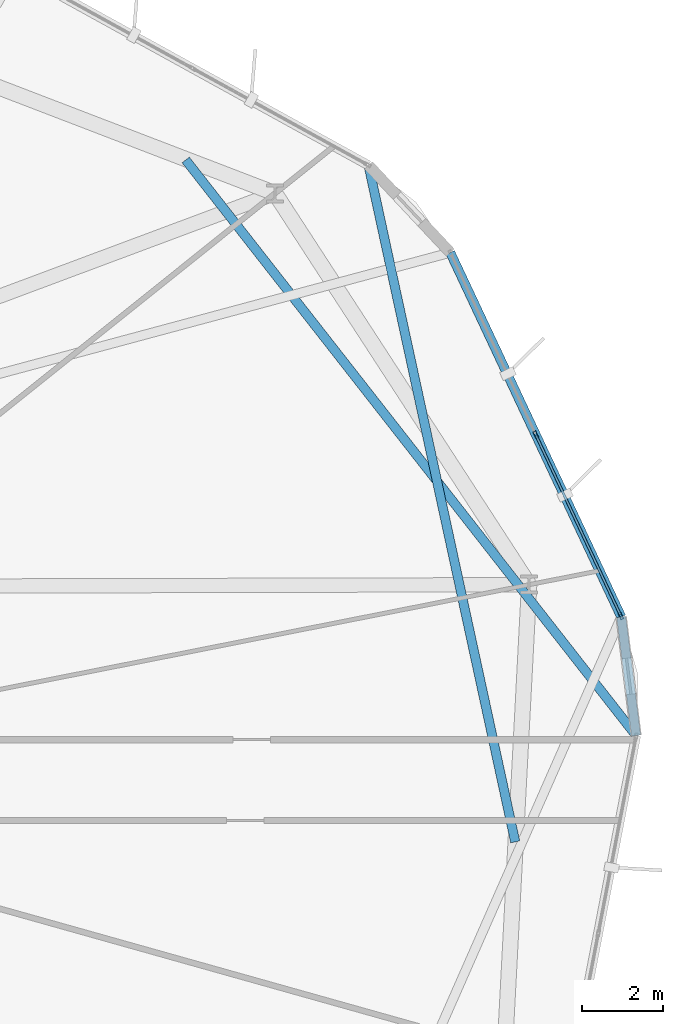
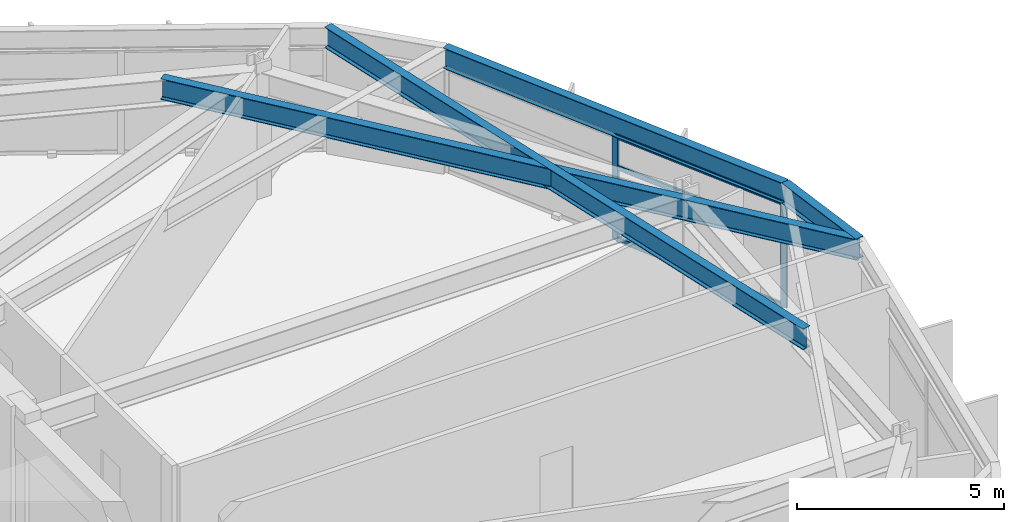
# One storey, part 10 of 22: 5 members, 4 beams, 1 element without a shape of its own.
"""IFC4 building model written with IfcOpenShell, lengths in metres."""

from ifc_helpers import new_model, si_unit, direction, frame, origin, origin_2d, place, context, subcontext, project, spatial, hollow_rectangle, i_section, extrude, material, layer, layer_set, material_profile, profile_set, type_object, element, aggregate, save


model = new_model("IFC4")

# Units and contexts
model_context = context("Model", 3, precision=1e-05, world=origin(), true_north=direction((0.0, 1.0)))
body_context = subcontext(model_context, "Body", "Model", "MODEL_VIEW")
ifc_project = project(units=[si_unit("LENGTHUNIT", "METRE"), si_unit("AREAUNIT", "SQUARE_METRE"), si_unit("VOLUMEUNIT", "CUBIC_METRE"), si_unit("PLANEANGLEUNIT", "RADIAN"), si_unit("MASSUNIT", "GRAM", prefix="KILO")], contexts=[model_context])

# Site, building, storey
site_placement = place(None, origin())
site = spatial("IfcSite", under=ifc_project, at=site_placement, CompositionType="ELEMENT")
building_placement = place(site_placement, origin())
building = spatial("IfcBuilding", under=site, at=building_placement, Name="Soratama Intermodal Tower", CompositionType="ELEMENT")
storey_placement = place(building_placement, frame((0.0, 0.0, 54.60009765625)))
storey = spatial("IfcBuildingStorey", under=building, at=storey_placement, Name="L12", CompositionType="ELEMENT", Elevation=54.60009765625)

# Beams
ifc_material_1 = material(Name="Structural steel ASTM A992 Grade 50", Category="steel")
ifc_material_profile_1 = material_profile(ifc_material_1, i_section(OverallWidth=0.22900390625, OverallDepth=0.612060546875, WebThickness=0.011962890625, FlangeThickness=0.01953125, FilletRadius=0.012939453125, at=origin_2d()), Name="W24X84")
ifc_profile_set_1 = profile_set([ifc_material_profile_1], Name="Structural steel ASTM A992 Grade 50")
beam_type_1 = type_object("IfcBeamType", Name="BM-SPN-W24X84", PredefinedType="SPANDREL", material=ifc_profile_set_1)
beam_1_placement = place(storey_placement, frame((65.366943359375, 29.0458984375, 3.393798828125), z_axis=(-0.424862542276, 0.905257874957, 0.0), x_axis=(-0.905257874957, -0.424862542276, 0.0)))
element("IfcBeam", 1, at=beam_1_placement, inside=storey, type_object=beam_type_1, Name="BS-L12-F01", PredefinedType="SPANDREL", context=body_context, shape_type="SweptSolid", body=[
    extrude(i_section(OverallWidth=0.22900390625, OverallDepth=0.612060546875, WebThickness=0.011962890625, FlangeThickness=0.01953125, FilletRadius=0.012939453125, at=origin_2d()), origin(), (0.0, 0.0, 1.0), 9.979736328125),
])
beam_2_placement = place(storey_placement, frame((65.735107421875, 26.10205078125, 3.393798828125), z_axis=(-0.124095503426, 0.992270278719, 0.0), x_axis=(-0.992270278719, -0.124095503426, 0.0)))
element("IfcBeam", 2, at=beam_2_placement, inside=storey, type_object=beam_type_1, Name="BS-L12-CRN10", PredefinedType="SPANDREL", context=body_context, shape_type="SweptSolid", body=[
    extrude(i_section(OverallWidth=0.22900390625, OverallDepth=0.612060546875, WebThickness=0.011962890625, FlangeThickness=0.01953125, FilletRadius=0.012939453125, at=origin_2d()), origin(), (0.0, 0.0, 1.0), 2.966796875),
])
ifc_material_2 = material(Name="Structural steel ASTM A992 Grade 50", Category="steel")
ifc_material_profile_2 = material_profile(ifc_material_2, i_section(OverallWidth=0.22900390625, OverallDepth=0.612060546875, WebThickness=0.011962890625, FlangeThickness=0.01953125, FilletRadius=0.012939453125, at=origin_2d()), Name="W24X84")
ifc_profile_set_2 = profile_set([ifc_material_profile_2], Name="Structural steel ASTM A992 Grade 50")
beam_type_2 = type_object("IfcBeamType", Name="BM-TIE-W24X84", PredefinedType="BEAM", material=ifc_profile_set_2)
beam_3_placement = place(storey_placement, frame((62.737060546875, 23.467041015625, 3.393798828125), z_axis=(-0.211902984707, 0.977290706531, 0.0), x_axis=(-0.977290706531, -0.211902984707, 0.0)))
element("IfcBeam", 3, at=beam_3_placement, inside=storey, type_object=beam_type_2, Name="BM-L12-TIE0-02", PredefinedType="BEAM", context=body_context, shape_type="SweptSolid", body=[
    extrude(i_section(OverallWidth=0.22900390625, OverallDepth=0.612060546875, WebThickness=0.011962890625, FlangeThickness=0.01953125, FilletRadius=0.012939453125, at=origin_2d()), origin(), (0.0, 0.0, 1.0), 17.16796875),
])
beam_4_placement = place(storey_placement, frame((54.56591796875, 40.3759765625, 3.393798828125), z_axis=(0.616249783663, -0.787550762894, 0.0), x_axis=(0.787550762894, 0.616249783663, 0.0)))
element("IfcBeam", 4, at=beam_4_placement, inside=storey, type_object=beam_type_2, Name="BM-L12-TIE1-10", PredefinedType="BEAM", context=body_context, shape_type="SweptSolid", body=[
    extrude(i_section(OverallWidth=0.22900390625, OverallDepth=0.612060546875, WebThickness=0.011962890625, FlangeThickness=0.01953125, FilletRadius=0.012939453125, at=origin_2d()), origin(), (0.0, 0.0, 1.0), 18.12451171875),
])

# Curtain wall, members
ifc_material_3 = material(Name="Double-glazed aluminium curtain wall", Category="aluminium")
ifc_layer = layer(ifc_material_3, 0.159912109375)
ifc_layer_set = layer_set([ifc_layer], Name="Double-glazed aluminium curtain wall")
curtain_wall_type = type_object("IfcCurtainWallType", Name="CW-SYS-2", PredefinedType="NOTDEFINED", material=ifc_layer_set)
curtain_wall_placement = place(storey_placement, origin())
curtain_wall = element("IfcCurtainWall", 5, at=curtain_wall_placement, inside=storey, type_object=curtain_wall_type, Name="L12 Faceted Curtain Wall F01", PredefinedType="NOTDEFINED")
ifc_material_4 = material(Name="Anodised aluminium AA 6063-T6", Category="aluminium")
ifc_material_profile_3 = material_profile(ifc_material_4, hollow_rectangle(XDim=0.074951171875, YDim=0.179931640625, WallThickness=0.006103515625, InnerFilletRadius=0.006103515625, OuterFilletRadius=0.011962890625, at=origin_2d()), Name="CWM180X75X6")
ifc_profile_set_3 = profile_set([ifc_material_profile_3], Name="Anodised aluminium AA 6063-T6")
member_type_1 = type_object("IfcMemberType", Name="MT-CWM-2", PredefinedType="MULLION", material=ifc_profile_set_3)
member_1_placement = place(storey_placement, frame((65.353759765625, 29.0732421875, 0.0), z_axis=(0.0, 0.0, 1.0), x_axis=(-0.905273754892, -0.424828705132, 0.0)))
member_1 = element("IfcMember", 6, at=member_1_placement, type_object=member_type_1, Name="CW-2 mullion 1", PredefinedType="MULLION", context=body_context, shape_type="SweptSolid", body=[
    extrude(hollow_rectangle(XDim=0.074951171875, YDim=0.179931640625, WallThickness=0.006103515625, InnerFilletRadius=0.006103515625, OuterFilletRadius=0.011962890625, at=origin_2d()), origin(), (0.0, 0.0, 1.0), 3.078857421875),
])
member_2_placement = place(storey_placement, frame((63.246826171875, 33.56298828125, 0.0), z_axis=(0.0, 0.0, 1.0), x_axis=(-0.905273754892, -0.424828705132, 0.0)))
member_2 = element("IfcMember", 7, at=member_2_placement, type_object=member_type_1, Name="CW-2 mullion 2", PredefinedType="MULLION", context=body_context, shape_type="SweptSolid", body=[
    extrude(hollow_rectangle(XDim=0.074951171875, YDim=0.179931640625, WallThickness=0.006103515625, InnerFilletRadius=0.006103515625, OuterFilletRadius=0.011962890625, at=origin_2d()), origin(), (0.0, 0.0, 1.0), 3.078857421875),
])
ifc_material_5 = material(Name="Anodised aluminium AA 6063-T6", Category="aluminium")
ifc_material_profile_4 = material_profile(ifc_material_5, hollow_rectangle(XDim=0.06494140625, YDim=0.14990234375, WallThickness=0.0048828125, InnerFilletRadius=0.0048828125, OuterFilletRadius=0.010009765625, at=origin_2d()), Name="CWT150X65X5")
ifc_profile_set_4 = profile_set([ifc_material_profile_4], Name="Anodised aluminium AA 6063-T6")
member_type_2 = type_object("IfcMemberType", Name="TT-CWT-1", PredefinedType="USERDEFINED", material=ifc_profile_set_4)
member_3_placement = place(storey_placement, frame((65.341064453125, 29.100341796875, 0.02978515625), z_axis=(-0.42479130262, 0.905291306276, 0.0), x_axis=(-0.905291306276, -0.42479130262, 0.0)))
member_3 = element("IfcMember", 8, at=member_3_placement, type_object=member_type_2, Name="CW-2 transom 1.1", ObjectType="TRANSOM", PredefinedType="USERDEFINED", context=body_context, shape_type="SweptSolid", body=[
    extrude(hollow_rectangle(XDim=0.06494140625, YDim=0.14990234375, WallThickness=0.0048828125, InnerFilletRadius=0.0048828125, OuterFilletRadius=0.010009765625, at=origin_2d()), origin(), (0.0, 0.0, 1.0), 4.899658203125),
])
member_4_placement = place(storey_placement, frame((65.341064453125, 29.100341796875, 2.14990234375), z_axis=(-0.42479130262, 0.905291306276, 0.0), x_axis=(-0.905291306276, -0.42479130262, 0.0)))
member_4 = element("IfcMember", 9, at=member_4_placement, type_object=member_type_2, Name="CW-2 transom 1.2", ObjectType="TRANSOM", PredefinedType="USERDEFINED", context=body_context, shape_type="SweptSolid", body=[
    extrude(hollow_rectangle(XDim=0.06494140625, YDim=0.14990234375, WallThickness=0.0048828125, InnerFilletRadius=0.0048828125, OuterFilletRadius=0.010009765625, at=origin_2d()), origin(), (0.0, 0.0, 1.0), 4.899658203125),
])
member_5_placement = place(storey_placement, frame((65.341064453125, 29.100341796875, 3.048828125), z_axis=(-0.42479130262, 0.905291306276, 0.0), x_axis=(-0.905291306276, -0.42479130262, 0.0)))
member_5 = element("IfcMember", 10, at=member_5_placement, type_object=member_type_2, Name="CW-2 transom 1.3", ObjectType="TRANSOM", PredefinedType="USERDEFINED", context=body_context, shape_type="SweptSolid", body=[
    extrude(hollow_rectangle(XDim=0.06494140625, YDim=0.14990234375, WallThickness=0.0048828125, InnerFilletRadius=0.0048828125, OuterFilletRadius=0.010009765625, at=origin_2d()), origin(), (0.0, 0.0, 1.0), 4.899658203125),
])
aggregate(curtain_wall, [member_1, member_2, member_3, member_4, member_5])

save(model, "model.ifc")
